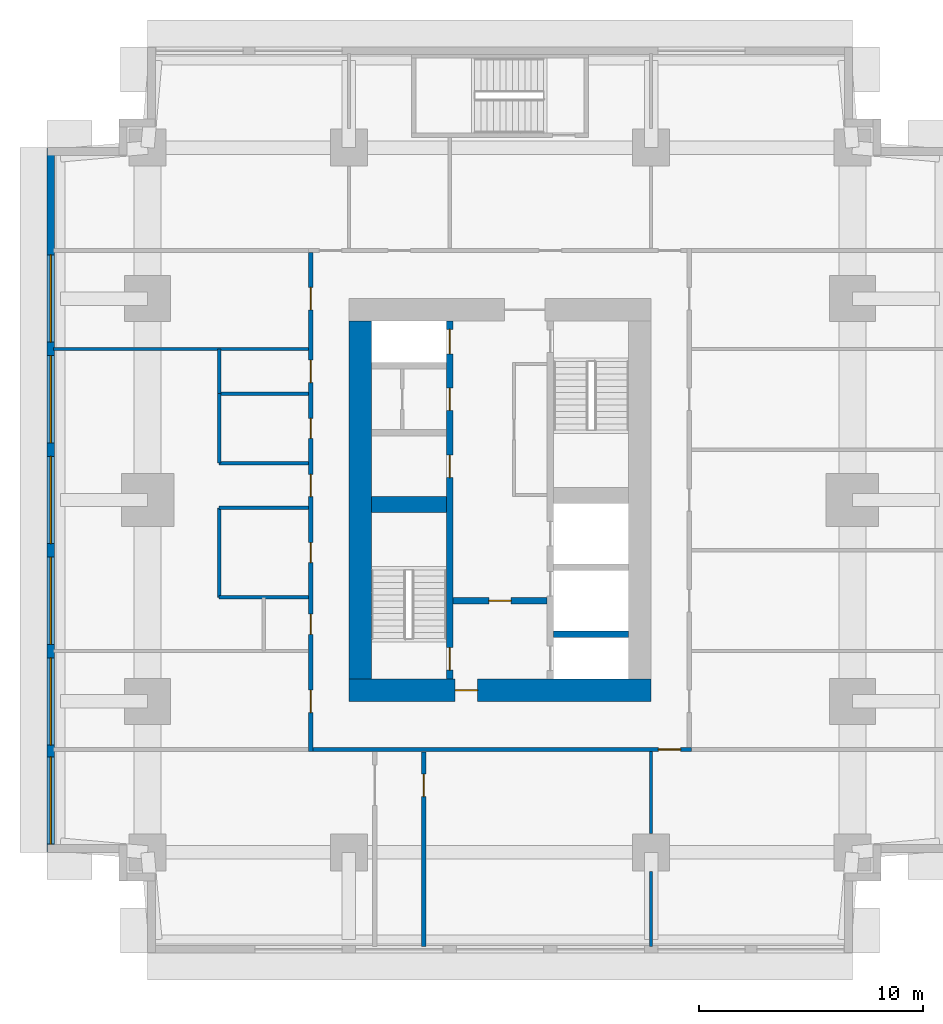
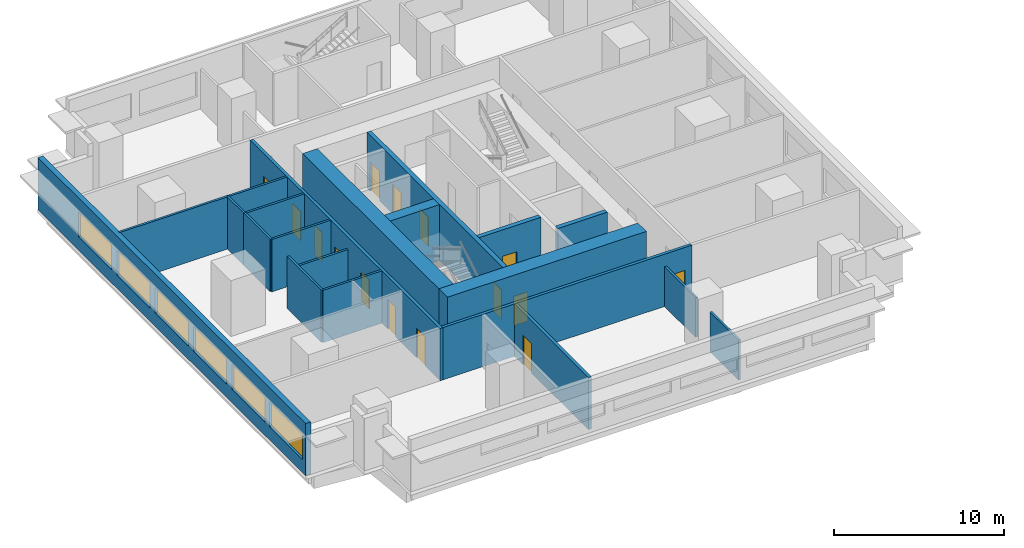
# One storey, part 3 of 11: 20 walls, 15 doors, 6 windows, 21 openings.
"""IFC4 building model written with IfcOpenShell, lengths in metres."""

from ifc_helpers import new_model, si_unit, direction, frame, frame_2d, origin, place, context, subcontext, project, spatial, rectangle, extrude, material, layer, layer_set, type_object, element, fill, save


model = new_model("IFC4")

# Units and contexts
model_context = context("Model", 3, precision=1e-05, world=origin(), true_north=direction((0.0, 1.0)))
body_context = subcontext(model_context, "Body", "Model", "MODEL_VIEW")
ifc_project = project(units=[si_unit("LENGTHUNIT", "METRE"), si_unit("AREAUNIT", "SQUARE_METRE"), si_unit("VOLUMEUNIT", "CUBIC_METRE"), si_unit("PLANEANGLEUNIT", "RADIAN"), si_unit("MASSUNIT", "GRAM", prefix="KILO")], contexts=[model_context])

# Site, building, storey
site_placement = place(None, origin())
site = spatial("IfcSite", under=ifc_project, at=site_placement, CompositionType="ELEMENT")
building_placement = place(site_placement, origin())
building = spatial("IfcBuilding", under=site, at=building_placement, Name="Namib Vertical Campus", CompositionType="ELEMENT")
storey_placement = place(building_placement, frame((0.0, 0.0, 177.0)))
storey = spatial("IfcBuildingStorey", under=building, at=storey_placement, Name="L41", CompositionType="ELEMENT", Elevation=177.0)

# Wall, openings, doors
ifc_material_1 = material(Name="Concrete C60/75", Category="concrete")
ifc_layer_1 = layer(ifc_material_1, 0.300048828125)
ifc_layer_set_1 = layer_set([ifc_layer_1], Name="Concrete C60/75")
wall_type_1 = type_object("IfcWallType", Name="Core inner wall 300", PredefinedType="SHEAR", material=ifc_layer_set_1)
wall_1_placement = place(storey_placement, frame((18.0, 12.25, 0.0), z_axis=(0.0, 0.0, 1.0), x_axis=(0.0, 1.0, 0.0)))
wall_1 = element("IfcWall", 1, at=wall_1_placement, inside=storey, type_object=wall_type_1, Name="Core inner wall A L41 W1", PredefinedType="SHEAR", context=body_context, shape_type="SweptSolid", body=[
    extrude(rectangle(XDim=16.0, YDim=0.300048828125, at=frame_2d((8.0, 0.0))), origin(), (0.0, 0.0, 1.0), 4.0),
])
opening_1_placement = place(wall_1_placement, frame((0.39990234375, 0.0, 0.0)))
opening_1 = element("IfcOpeningElement", 2, at=opening_1_placement, cuts=wall_1, Name="Opening FD1", PredefinedType="OPENING", context=body_context, shape_type="SweptSolid", body=[
    extrude(rectangle(XDim=1.0, YDim=2.10009765625, at=frame_2d((0.5, 1.050048828125))), frame((0.0, 0.159912109375, 0.0), z_axis=(0.0, -1.0, 0.0), x_axis=(1.0, 0.0, 0.0)), (0.0, 0.0, 1.0), 0.320068359375),
])
opening_2_placement = place(wall_1_placement, frame((14.52490234375, 0.0, 0.0)))
opening_2 = element("IfcOpeningElement", 3, at=opening_2_placement, cuts=wall_1, Name="Opening LD1", PredefinedType="OPENING", context=body_context, shape_type="SweptSolid", body=[
    extrude(rectangle(XDim=1.10009765625, YDim=2.10009765625, at=frame_2d((0.550048828125, 1.050048828125))), frame((0.0, 0.159912109375, 0.0), z_axis=(0.0, -1.0, 0.0), x_axis=(1.0, 0.0, 0.0)), (0.0, 0.0, 1.0), 0.320068359375),
])
opening_3_placement = place(wall_1_placement, frame((9.0, 0.0, 0.0)))
opening_3 = element("IfcOpeningElement", 4, at=opening_3_placement, cuts=wall_1, Name="Opening D1", PredefinedType="OPENING", context=body_context, shape_type="SweptSolid", body=[
    extrude(rectangle(XDim=1.0, YDim=2.10009765625, at=frame_2d((0.5, 1.050048828125))), frame((0.0, 0.159912109375, 0.0), z_axis=(0.0, -1.0, 0.0), x_axis=(1.0, 0.0, 0.0)), (0.0, 0.0, 1.0), 0.320068359375),
])
opening_4_placement = place(wall_1_placement, frame((12.0, 0.0, 0.0)))
opening_4 = element("IfcOpeningElement", 5, at=opening_4_placement, cuts=wall_1, Name="Opening D1", PredefinedType="OPENING", context=body_context, shape_type="SweptSolid", body=[
    extrude(rectangle(XDim=1.0, YDim=2.10009765625, at=frame_2d((0.5, 1.050048828125))), frame((0.0, 0.159912109375, 0.0), z_axis=(0.0, -1.0, 0.0), x_axis=(1.0, 0.0, 0.0)), (0.0, 0.0, 1.0), 0.320068359375),
])
ifc_material_2 = material(Name="Timber door leaf", Category="wood")
door_type_1 = type_object("IfcDoorType", Name="Door single 1000x2100", OperationType="SINGLE_SWING_LEFT", PredefinedType="DOOR", material=ifc_material_2)
door_1_placement = place(opening_3_placement, origin())
door_1 = element("IfcDoor", 6, at=door_1_placement, inside=storey, type_object=door_type_1, Name="Door D1 Staff pantry A L41 P1", OperationType="SINGLE_SWING_LEFT", OverallHeight=2.10009765625, OverallWidth=1.0, PredefinedType="DOOR", context=body_context, shape_type="SweptSolid", body=[
    extrude(rectangle(XDim=1.0, YDim=2.10009765625, at=frame_2d((0.5, 1.050048828125))), frame((0.0, 0.02490234375, 0.0), z_axis=(0.0, -1.0, 0.0), x_axis=(1.0, 0.0, 0.0)), (0.0, 0.0, 1.0), 0.050048828125),
])
fill(opening_3, door_1)
door_2_placement = place(opening_4_placement, origin())
door_2 = element("IfcDoor", 7, at=door_2_placement, inside=storey, type_object=door_type_1, Name="Door D1 Records store A L41 P2", OperationType="SINGLE_SWING_LEFT", OverallHeight=2.10009765625, OverallWidth=1.0, PredefinedType="DOOR", context=body_context, shape_type="SweptSolid", body=[
    extrude(rectangle(XDim=1.0, YDim=2.10009765625, at=frame_2d((0.5, 1.050048828125))), frame((0.0, 0.02490234375, 0.0), z_axis=(0.0, -1.0, 0.0), x_axis=(1.0, 0.0, 0.0)), (0.0, 0.0, 1.0), 0.050048828125),
])
fill(opening_4, door_2)
ifc_material_3 = material(Name="Steel fire door", Category="steel")
door_type_2 = type_object("IfcDoorType", Name="Fire door 1000x2100", OperationType="SINGLE_SWING_RIGHT", PredefinedType="DOOR", material=ifc_material_3)
door_3_placement = place(opening_1_placement, origin())
door_3 = element("IfcDoor", 8, at=door_3_placement, inside=storey, type_object=door_type_2, Name="Stair door FD1 A L41 S1", OperationType="SINGLE_SWING_LEFT", OverallHeight=2.10009765625, OverallWidth=1.0, PredefinedType="DOOR", context=body_context, shape_type="SweptSolid", body=[
    extrude(rectangle(XDim=1.0, YDim=2.10009765625, at=frame_2d((0.5, 1.050048828125))), frame((0.0, 0.02490234375, 0.0), z_axis=(0.0, -1.0, 0.0), x_axis=(1.0, 0.0, 0.0)), (0.0, 0.0, 1.0), 0.050048828125),
])
fill(opening_1, door_3)
ifc_material_4 = material(Name="Stainless steel lift door", Category="steel")
door_type_3 = type_object("IfcDoorType", Name="Lift landing door 1100x2100", OperationType="DOUBLE_DOOR_SLIDING", PredefinedType="DOOR", material=ifc_material_4)
door_4_placement = place(opening_2_placement, origin())
door_4 = element("IfcDoor", 9, at=door_4_placement, inside=storey, type_object=door_type_3, Name="Lift landing door LD1 A-P3 L41", OperationType="DOUBLE_DOOR_SLIDING", OverallHeight=2.10009765625, OverallWidth=1.10009765625, PredefinedType="DOOR", context=body_context, shape_type="SweptSolid", body=[
    extrude(rectangle(XDim=1.10009765625, YDim=2.10009765625, at=frame_2d((0.550048828125, 1.050048828125))), frame((0.0, 0.02490234375, 0.0), z_axis=(0.0, -1.0, 0.0), x_axis=(1.0, 0.0, 0.0)), (0.0, 0.0, 1.0), 0.050048828125),
])
fill(opening_2, door_4)

# Wall, opening, door
wall_2_placement = place(storey_placement, frame((18.14990234375, 15.75, 0.0), z_axis=(0.0, 0.0, 1.0), x_axis=(1.0, 0.0, 0.0)))
wall_2 = element("IfcWall", 10, at=wall_2_placement, inside=storey, type_object=wall_type_1, Name="Core inner wall A L41 W4", PredefinedType="SHEAR", context=body_context, shape_type="SweptSolid", body=[
    extrude(rectangle(XDim=4.2001953125, YDim=0.300048828125, at=frame_2d((2.10009765625, 0.0))), origin(), (0.0, 0.0, 1.0), 4.0),
])
opening_5_placement = place(wall_2_placement, frame((1.60009765625, 0.0, 0.0)))
opening_5 = element("IfcOpeningElement", 11, at=opening_5_placement, cuts=wall_2, Name="Opening FD5", PredefinedType="OPENING", context=body_context, shape_type="SweptSolid", body=[
    extrude(rectangle(XDim=1.0, YDim=2.10009765625, at=frame_2d((0.5, 1.050048828125))), frame((0.0, 0.159912109375, 0.0), z_axis=(0.0, -1.0, 0.0), x_axis=(1.0, 0.0, 0.0)), (0.0, 0.0, 1.0), 0.320068359375),
])
ifc_material_5 = material(Name="Steel fire door", Category="steel")
door_type_4 = type_object("IfcDoorType", Name="Fire door 1000x2100 120 min", OperationType="SINGLE_SWING_RIGHT", PredefinedType="DOOR", material=ifc_material_5)
door_5_placement = place(opening_5_placement, frame((1.0, 0.0, 0.0), z_axis=(0.0, 0.0, 1.0), x_axis=(-1.0, 0.0, 0.0)))
door_5 = element("IfcDoor", 12, at=door_5_placement, inside=storey, type_object=door_type_4, Name="Lobby door FD5 A L41", OperationType="SINGLE_SWING_RIGHT", OverallHeight=2.10009765625, OverallWidth=1.0, PredefinedType="DOOR", context=body_context, shape_type="SweptSolid", body=[
    extrude(rectangle(XDim=1.0, YDim=2.10009765625, at=frame_2d((0.5, 1.050048828125))), frame((0.0, 0.02490234375, 0.0), z_axis=(0.0, -1.0, 0.0), x_axis=(1.0, 0.0, 0.0)), (0.0, 0.0, 1.0), 0.050048828125),
])
fill(opening_5, door_5)

# Walls
wall_3_placement = place(storey_placement, frame((22.64990234375, 14.25, 0.0), z_axis=(0.0, 0.0, 1.0), x_axis=(1.0, 0.0, 0.0)))
element("IfcWall", 13, at=wall_3_placement, inside=storey, type_object=wall_type_1, Name="Core inner wall A L41 W5", PredefinedType="SHEAR", context=body_context, shape_type="SweptSolid", body=[
    extrude(rectangle(XDim=3.35009765625, YDim=0.300048828125, at=frame_2d((1.675048828125, 0.0))), origin(), (0.0, 0.0, 1.0), 4.0),
])
ifc_material_6 = material(Name="Concrete C60/75", Category="concrete")
ifc_layer_2 = layer(ifc_material_6, 0.699951171875)
ifc_layer_set_2 = layer_set([ifc_layer_2], Name="Concrete C60/75")
wall_type_2 = type_object("IfcWallType", Name="Core shear wall 700", PredefinedType="SHEAR", material=ifc_layer_set_2)
wall_4_placement = place(storey_placement, frame((14.5, 20.050048828125, 0.0), z_axis=(0.0, 0.0, 1.0), x_axis=(1.0, 0.0, 0.0)))
element("IfcWall", 14, at=wall_4_placement, inside=storey, type_object=wall_type_2, Name="Core shear wall A L41 W3", PredefinedType="SHEAR", context=body_context, shape_type="SweptSolid", body=[
    extrude(rectangle(XDim=3.35009765625, YDim=0.699951171875, at=frame_2d((1.675048828125, 0.0))), origin(), (0.0, 0.0, 1.0), 4.0),
])

# Wall, opening, door
ifc_material_7 = material(Name="Concrete C60/75", Category="concrete")
ifc_layer_3 = layer(ifc_material_7, 1.0)
ifc_layer_set_3 = layer_set([ifc_layer_3], Name="Concrete C60/75")
wall_type_3 = type_object("IfcWallType", Name="Core wall 1000", PredefinedType="SHEAR", material=ifc_layer_set_3)
wall_5_placement = place(storey_placement, frame((13.5, 11.75, 0.0), z_axis=(0.0, 0.0, 1.0), x_axis=(1.0, 0.0, 0.0)))
wall_5 = element("IfcWall", 15, at=wall_5_placement, inside=storey, type_object=wall_type_3, Name="Core wall A L41 1", PredefinedType="SHEAR", context=body_context, shape_type="SweptSolid", body=[
    extrude(rectangle(XDim=13.5, YDim=1.0, at=frame_2d((6.75, 0.0))), origin(), (0.0, 0.0, 1.0), 4.0),
])
opening_6_placement = place(wall_5_placement, frame((4.75, 0.0, 0.0)))
opening_6 = element("IfcOpeningElement", 16, at=opening_6_placement, cuts=wall_5, Name="Opening FD5", PredefinedType="OPENING", context=body_context, shape_type="SweptSolid", body=[
    extrude(rectangle(XDim=1.0, YDim=2.10009765625, at=frame_2d((0.5, 1.050048828125))), frame((0.0, 0.510009765625, 0.0), z_axis=(0.0, -1.0, 0.0), x_axis=(1.0, 0.0, 0.0)), (0.0, 0.0, 1.0), 1.02001953125),
])
door_6_placement = place(opening_6_placement, origin())
door_6 = element("IfcDoor", 17, at=door_6_placement, inside=storey, type_object=door_type_4, Name="Firefighting lobby door FD5 A L41", OperationType="SINGLE_SWING_LEFT", OverallHeight=2.10009765625, OverallWidth=1.0, PredefinedType="DOOR", context=body_context, shape_type="SweptSolid", body=[
    extrude(rectangle(XDim=1.0, YDim=2.10009765625, at=frame_2d((0.5, 1.050048828125))), frame((0.0, 0.02490234375, 0.0), z_axis=(0.0, -1.0, 0.0), x_axis=(1.0, 0.0, 0.0)), (0.0, 0.0, 1.0), 0.050048828125),
])
fill(opening_6, door_6)

# Wall
wall_6_placement = place(storey_placement, frame((14.0, 28.25, 0.0), z_axis=(0.0, 0.0, 1.0), x_axis=(0.0, -1.0, 0.0)))
element("IfcWall", 18, at=wall_6_placement, inside=storey, type_object=wall_type_3, Name="Core wall A L41 4", PredefinedType="SHEAR", context=body_context, shape_type="SweptSolid", body=[
    extrude(rectangle(XDim=16.0, YDim=1.0, at=frame_2d((8.0, 0.0))), origin(), (0.0, 0.0, 1.0), 4.0),
])

# Wall, opening, door
ifc_material_8 = material(Name="Concrete masonry", Category="masonry")
ifc_layer_4 = layer(ifc_material_8, 0.199951171875)
ifc_layer_set_4 = layer_set([ifc_layer_4], Name="Corridor wall 200")
wall_type_4 = type_object("IfcWallType", Name="Corridor wall 200", PredefinedType="SOLIDWALL", material=ifc_layer_set_4)
wall_7_placement = place(storey_placement, frame((11.89990234375, 9.10009765625, 0.0), z_axis=(0.0, 0.0, 1.0), x_axis=(1.0, 0.0, 0.0)))
wall_7 = element("IfcWall", 19, at=wall_7_placement, inside=storey, type_object=wall_type_4, Name="Corridor wall A L41 CS", PredefinedType="SOLIDWALL", context=body_context, shape_type="SweptSolid", body=[
    extrude(rectangle(XDim=16.900146484375, YDim=0.199951171875, at=frame_2d((8.4501953125, 0.0))), origin(), (0.0, 0.0, 1.0), 3.75),
])
opening_7_placement = place(wall_7_placement, frame((15.425048828125, 0.0, 0.0)))
opening_7 = element("IfcOpeningElement", 20, at=opening_7_placement, cuts=wall_7, Name="Opening CD1", PredefinedType="OPENING", context=body_context, shape_type="SweptSolid", body=[
    extrude(rectangle(XDim=1.0, YDim=2.10009765625, at=frame_2d((0.5, 1.050048828125))), frame((0.0, 0.10986328125, 0.0), z_axis=(0.0, -1.0, 0.0), x_axis=(1.0, 0.0, 0.0)), (0.0, 0.0, 1.0), 0.219970703125),
])
ifc_material_9 = material(Name="Timber fire door leaf", Category="wood")
door_type_5 = type_object("IfcDoorType", Name="Corridor door 1000x2100 20 min", OperationType="SINGLE_SWING_LEFT", PredefinedType="DOOR", material=ifc_material_9)
door_7_placement = place(opening_7_placement, frame((1.0, 0.0, 0.0), z_axis=(0.0, 0.0, 1.0), x_axis=(-1.0, 0.0, 0.0)))
door_7 = element("IfcDoor", 21, at=door_7_placement, inside=storey, type_object=door_type_5, Name="Door CD1 A41-03", OperationType="SINGLE_SWING_RIGHT", OverallHeight=2.10009765625, OverallWidth=1.0, PredefinedType="DOOR", context=body_context, shape_type="SweptSolid", body=[
    extrude(rectangle(XDim=1.0, YDim=2.10009765625, at=frame_2d((0.5, 1.050048828125))), frame((0.0, 0.02490234375, 0.0), z_axis=(0.0, -1.0, 0.0), x_axis=(1.0, 0.0, 0.0)), (0.0, 0.0, 1.0), 0.050048828125),
])
fill(opening_7, door_7)

# Wall, openings, doors
wall_8_placement = place(storey_placement, frame((11.800048828125, 31.300048828125, 0.0), z_axis=(0.0, 0.0, 1.0), x_axis=(0.0, -1.0, 0.0)))
wall_8 = element("IfcWall", 22, at=wall_8_placement, inside=storey, type_object=wall_type_4, Name="Corridor wall A L41 CW", PredefinedType="SOLIDWALL", context=body_context, shape_type="SweptSolid", body=[
    extrude(rectangle(XDim=22.300048828125, YDim=0.199951171875, at=frame_2d((11.14990234375, 0.0))), origin(), (0.0, 0.0, 1.0), 3.75),
])
opening_8_placement = place(wall_8_placement, frame((19.550048828125, 0.0, 0.0)))
opening_8 = element("IfcOpeningElement", 23, at=opening_8_placement, cuts=wall_8, Name="Opening CD1", PredefinedType="OPENING", context=body_context, shape_type="SweptSolid", body=[
    extrude(rectangle(XDim=1.0, YDim=2.10009765625, at=frame_2d((0.5, 1.050048828125))), frame((0.0, 0.10986328125, 0.0), z_axis=(0.0, -1.0, 0.0), x_axis=(1.0, 0.0, 0.0)), (0.0, 0.0, 1.0), 0.219970703125),
])
opening_9_placement = place(wall_8_placement, frame((16.14990234375, 0.0, 0.0)))
opening_9 = element("IfcOpeningElement", 24, at=opening_9_placement, cuts=wall_8, Name="Opening CD3", PredefinedType="OPENING", context=body_context, shape_type="SweptSolid", body=[
    extrude(rectangle(XDim=0.89990234375, YDim=2.10009765625, at=frame_2d((0.449951171875, 1.050048828125))), frame((0.0, 0.10986328125, 0.0), z_axis=(0.0, -1.0, 0.0), x_axis=(1.0, 0.0, 0.0)), (0.0, 0.0, 1.0), 0.219970703125),
])
opening_10_placement = place(wall_8_placement, frame((12.949951171875, 0.0, 0.0)))
opening_10 = element("IfcOpeningElement", 25, at=opening_10_placement, cuts=wall_8, Name="Opening CD3", PredefinedType="OPENING", context=body_context, shape_type="SweptSolid", body=[
    extrude(rectangle(XDim=0.89990234375, YDim=2.10009765625, at=frame_2d((0.449951171875, 1.050048828125))), frame((0.0, 0.10986328125, 0.0), z_axis=(0.0, -1.0, 0.0), x_axis=(1.0, 0.0, 0.0)), (0.0, 0.0, 1.0), 0.219970703125),
])
opening_11_placement = place(wall_8_placement, frame((7.39990234375, 0.0, 0.0)))
opening_11 = element("IfcOpeningElement", 26, at=opening_11_placement, cuts=wall_8, Name="Opening CD3", PredefinedType="OPENING", context=body_context, shape_type="SweptSolid", body=[
    extrude(rectangle(XDim=0.89990234375, YDim=2.10009765625, at=frame_2d((0.449951171875, 1.050048828125))), frame((0.0, 0.10986328125, 0.0), z_axis=(0.0, -1.0, 0.0), x_axis=(1.0, 0.0, 0.0)), (0.0, 0.0, 1.0), 0.219970703125),
])
opening_12_placement = place(wall_8_placement, frame((4.800048828125, 0.0, 0.0)))
opening_12 = element("IfcOpeningElement", 27, at=opening_12_placement, cuts=wall_8, Name="Opening CD1", PredefinedType="OPENING", context=body_context, shape_type="SweptSolid", body=[
    extrude(rectangle(XDim=1.0, YDim=2.10009765625, at=frame_2d((0.5, 1.050048828125))), frame((0.0, 0.10986328125, 0.0), z_axis=(0.0, -1.0, 0.0), x_axis=(1.0, 0.0, 0.0)), (0.0, 0.0, 1.0), 0.219970703125),
])
opening_13_placement = place(wall_8_placement, frame((9.89990234375, 0.0, 0.0)))
opening_13 = element("IfcOpeningElement", 28, at=opening_13_placement, cuts=wall_8, Name="Opening CD1", PredefinedType="OPENING", context=body_context, shape_type="SweptSolid", body=[
    extrude(rectangle(XDim=1.0, YDim=2.10009765625, at=frame_2d((0.5, 1.050048828125))), frame((0.0, 0.10986328125, 0.0), z_axis=(0.0, -1.0, 0.0), x_axis=(1.0, 0.0, 0.0)), (0.0, 0.0, 1.0), 0.219970703125),
])
opening_14_placement = place(wall_8_placement, frame((1.550048828125, 0.0, 0.0)))
opening_14 = element("IfcOpeningElement", 29, at=opening_14_placement, cuts=wall_8, Name="Opening CD1", PredefinedType="OPENING", context=body_context, shape_type="SweptSolid", body=[
    extrude(rectangle(XDim=1.0, YDim=2.10009765625, at=frame_2d((0.5, 1.050048828125))), frame((0.0, 0.10986328125, 0.0), z_axis=(0.0, -1.0, 0.0), x_axis=(1.0, 0.0, 0.0)), (0.0, 0.0, 1.0), 0.219970703125),
])
door_8_placement = place(opening_8_placement, frame((1.0, 0.0, 0.0), z_axis=(0.0, 0.0, 1.0), x_axis=(-1.0, 0.0, 0.0)))
door_8 = element("IfcDoor", 30, at=door_8_placement, inside=storey, type_object=door_type_5, Name="Door CD1 A41-13", OperationType="SINGLE_SWING_RIGHT", OverallHeight=2.10009765625, OverallWidth=1.0, PredefinedType="DOOR", context=body_context, shape_type="SweptSolid", body=[
    extrude(rectangle(XDim=1.0, YDim=2.10009765625, at=frame_2d((0.5, 1.050048828125))), frame((0.0, 0.02490234375, 0.0), z_axis=(0.0, -1.0, 0.0), x_axis=(1.0, 0.0, 0.0)), (0.0, 0.0, 1.0), 0.050048828125),
])
fill(opening_8, door_8)
door_9_placement = place(opening_12_placement, frame((1.0, 0.0, 0.0), z_axis=(0.0, 0.0, 1.0), x_axis=(-1.0, 0.0, 0.0)))
door_9 = element("IfcDoor", 31, at=door_9_placement, inside=storey, type_object=door_type_5, Name="Door CD1 A41-17", OperationType="SINGLE_SWING_RIGHT", OverallHeight=2.10009765625, OverallWidth=1.0, PredefinedType="DOOR", context=body_context, shape_type="SweptSolid", body=[
    extrude(rectangle(XDim=1.0, YDim=2.10009765625, at=frame_2d((0.5, 1.050048828125))), frame((0.0, 0.02490234375, 0.0), z_axis=(0.0, -1.0, 0.0), x_axis=(1.0, 0.0, 0.0)), (0.0, 0.0, 1.0), 0.050048828125),
])
fill(opening_12, door_9)
door_10_placement = place(opening_13_placement, frame((1.0, 0.0, 0.0), z_axis=(0.0, 0.0, 1.0), x_axis=(-1.0, 0.0, 0.0)))
door_10 = element("IfcDoor", 32, at=door_10_placement, inside=storey, type_object=door_type_5, Name="Door CD1 A41-18", OperationType="SINGLE_SWING_RIGHT", OverallHeight=2.10009765625, OverallWidth=1.0, PredefinedType="DOOR", context=body_context, shape_type="SweptSolid", body=[
    extrude(rectangle(XDim=1.0, YDim=2.10009765625, at=frame_2d((0.5, 1.050048828125))), frame((0.0, 0.02490234375, 0.0), z_axis=(0.0, -1.0, 0.0), x_axis=(1.0, 0.0, 0.0)), (0.0, 0.0, 1.0), 0.050048828125),
])
fill(opening_13, door_10)
door_11_placement = place(opening_14_placement, frame((1.0, 0.0, 0.0), z_axis=(0.0, 0.0, 1.0), x_axis=(-1.0, 0.0, 0.0)))
door_11 = element("IfcDoor", 33, at=door_11_placement, inside=storey, type_object=door_type_5, Name="Door CD1 A41-19", OperationType="SINGLE_SWING_RIGHT", OverallHeight=2.10009765625, OverallWidth=1.0, PredefinedType="DOOR", context=body_context, shape_type="SweptSolid", body=[
    extrude(rectangle(XDim=1.0, YDim=2.10009765625, at=frame_2d((0.5, 1.050048828125))), frame((0.0, 0.02490234375, 0.0), z_axis=(0.0, -1.0, 0.0), x_axis=(1.0, 0.0, 0.0)), (0.0, 0.0, 1.0), 0.050048828125),
])
fill(opening_14, door_11)
ifc_material_10 = material(Name="Timber fire door leaf", Category="wood")
door_type_6 = type_object("IfcDoorType", Name="Corridor toilet door 900x2100 20 min", OperationType="SINGLE_SWING_LEFT", PredefinedType="DOOR", material=ifc_material_10)
door_12_placement = place(opening_9_placement, frame((0.89990234375, 0.0, 0.0), z_axis=(0.0, 0.0, 1.0), x_axis=(-1.0, 0.0, 0.0)))
door_12 = element("IfcDoor", 34, at=door_12_placement, inside=storey, type_object=door_type_6, Name="Door CD3 A41-14", OperationType="SINGLE_SWING_RIGHT", OverallHeight=2.10009765625, OverallWidth=0.89990234375, PredefinedType="DOOR", context=body_context, shape_type="SweptSolid", body=[
    extrude(rectangle(XDim=0.89990234375, YDim=2.10009765625, at=frame_2d((0.449951171875, 1.050048828125))), frame((0.0, 0.02490234375, 0.0), z_axis=(0.0, -1.0, 0.0), x_axis=(1.0, 0.0, 0.0)), (0.0, 0.0, 1.0), 0.050048828125),
])
fill(opening_9, door_12)
door_13_placement = place(opening_10_placement, frame((0.89990234375, 0.0, 0.0), z_axis=(0.0, 0.0, 1.0), x_axis=(-1.0, 0.0, 0.0)))
door_13 = element("IfcDoor", 35, at=door_13_placement, inside=storey, type_object=door_type_6, Name="Door CD3 A41-15", OperationType="SINGLE_SWING_RIGHT", OverallHeight=2.10009765625, OverallWidth=0.89990234375, PredefinedType="DOOR", context=body_context, shape_type="SweptSolid", body=[
    extrude(rectangle(XDim=0.89990234375, YDim=2.10009765625, at=frame_2d((0.449951171875, 1.050048828125))), frame((0.0, 0.02490234375, 0.0), z_axis=(0.0, -1.0, 0.0), x_axis=(1.0, 0.0, 0.0)), (0.0, 0.0, 1.0), 0.050048828125),
])
fill(opening_10, door_13)
door_14_placement = place(opening_11_placement, frame((0.89990234375, 0.0, 0.0), z_axis=(0.0, 0.0, 1.0), x_axis=(-1.0, 0.0, 0.0)))
door_14 = element("IfcDoor", 36, at=door_14_placement, inside=storey, type_object=door_type_6, Name="Door CD3 A41-16", OperationType="SINGLE_SWING_RIGHT", OverallHeight=2.10009765625, OverallWidth=0.89990234375, PredefinedType="DOOR", context=body_context, shape_type="SweptSolid", body=[
    extrude(rectangle(XDim=0.89990234375, YDim=2.10009765625, at=frame_2d((0.449951171875, 1.050048828125))), frame((0.0, 0.02490234375, 0.0), z_axis=(0.0, -1.0, 0.0), x_axis=(1.0, 0.0, 0.0)), (0.0, 0.0, 1.0), 0.050048828125),
])
fill(opening_11, door_14)

# Wall, opening, door
wall_9_placement = place(storey_placement, frame((16.85009765625, 9.0, 0.0), z_axis=(0.0, 0.0, 1.0), x_axis=(0.0, -1.0, 0.0)))
wall_9 = element("IfcWall", 37, at=wall_9_placement, inside=storey, type_object=wall_type_4, Name="Corridor wall A L41 SPS2", PredefinedType="SOLIDWALL", context=body_context, shape_type="SweptSolid", body=[
    extrude(rectangle(XDim=8.699951171875, YDim=0.199951171875, at=frame_2d((4.35009765625, 0.0))), origin(), (0.0, 0.0, 1.0), 3.75),
])
opening_15_placement = place(wall_9_placement, frame((1.0, 0.0, 0.0)))
opening_15 = element("IfcOpeningElement", 38, at=opening_15_placement, cuts=wall_9, Name="Opening CD1", PredefinedType="OPENING", context=body_context, shape_type="SweptSolid", body=[
    extrude(rectangle(XDim=1.0, YDim=2.10009765625, at=frame_2d((0.5, 1.050048828125))), frame((0.0, 0.10986328125, 0.0), z_axis=(0.0, -1.0, 0.0), x_axis=(1.0, 0.0, 0.0)), (0.0, 0.0, 1.0), 0.219970703125),
])
door_15_placement = place(opening_15_placement, origin())
door_15 = element("IfcDoor", 39, at=door_15_placement, inside=storey, type_object=door_type_5, Name="Door CD1 A41-02", OperationType="SINGLE_SWING_LEFT", OverallHeight=2.10009765625, OverallWidth=1.0, PredefinedType="DOOR", context=body_context, shape_type="SweptSolid", body=[
    extrude(rectangle(XDim=1.0, YDim=2.10009765625, at=frame_2d((0.5, 1.050048828125))), frame((0.0, 0.02490234375, 0.0), z_axis=(0.0, -1.0, 0.0), x_axis=(1.0, 0.0, 0.0)), (0.0, 0.0, 1.0), 0.050048828125),
])
fill(opening_15, door_15)

# Wall, openings, windows
ifc_material_11 = material(Name="Concrete C40/50", Category="concrete")
ifc_layer_5 = layer(ifc_material_11, 0.35009765625)
ifc_layer_set_5 = layer_set([ifc_layer_5], Name="Concrete C40/50")
wall_type_5 = type_object("IfcWallType", Name="External wall 350 bush-hammered concrete", PredefinedType="STANDARD", material=ifc_layer_set_5)
wall_10_placement = place(storey_placement, frame((0.175048828125, 35.97998046875, 0.0), z_axis=(0.0, 0.0, 1.0), x_axis=(0.0, -1.0, 0.0)))
wall_10 = element("IfcWall", 40, at=wall_10_placement, inside=storey, type_object=wall_type_5, Name="External wall L41 F16", PredefinedType="STANDARD", context=body_context, shape_type="SweptSolid", body=[
    extrude(rectangle(XDim=31.4599609375, YDim=0.35009765625, at=frame_2d((15.72998046875, 0.0))), origin(), (0.0, 0.0, 1.0), 3.75),
])
opening_16_placement = place(wall_10_placement, frame((27.2099609375, 0.0, 0.949951171875)))
opening_16 = element("IfcOpeningElement", 41, at=opening_16_placement, cuts=wall_10, Name="Opening W3", PredefinedType="OPENING", context=body_context, shape_type="SweptSolid", body=[
    extrude(rectangle(XDim=3.89990234375, YDim=1.800048828125, at=frame_2d((1.949951171875, 0.89990234375))), frame((0.0, 0.18505859375, 0.0), z_axis=(0.0, -1.0, 0.0), x_axis=(1.0, 0.0, 0.0)), (0.0, 0.0, 1.0), 0.3701171875),
])
opening_17_placement = place(wall_10_placement, frame((22.780029296875, 0.0, 0.949951171875)))
opening_17 = element("IfcOpeningElement", 42, at=opening_17_placement, cuts=wall_10, Name="Opening W3", PredefinedType="OPENING", context=body_context, shape_type="SweptSolid", body=[
    extrude(rectangle(XDim=3.89990234375, YDim=1.800048828125, at=frame_2d((1.949951171875, 0.89990234375))), frame((0.0, 0.18505859375, 0.0), z_axis=(0.0, -1.0, 0.0), x_axis=(1.0, 0.0, 0.0)), (0.0, 0.0, 1.0), 0.3701171875),
])
opening_18_placement = place(wall_10_placement, frame((18.280029296875, 0.0, 0.949951171875)))
opening_18 = element("IfcOpeningElement", 43, at=opening_18_placement, cuts=wall_10, Name="Opening W3", PredefinedType="OPENING", context=body_context, shape_type="SweptSolid", body=[
    extrude(rectangle(XDim=3.89990234375, YDim=1.800048828125, at=frame_2d((1.949951171875, 0.89990234375))), frame((0.0, 0.18505859375, 0.0), z_axis=(0.0, -1.0, 0.0), x_axis=(1.0, 0.0, 0.0)), (0.0, 0.0, 1.0), 0.3701171875),
])
opening_19_placement = place(wall_10_placement, frame((13.780029296875, 0.0, 0.949951171875)))
opening_19 = element("IfcOpeningElement", 44, at=opening_19_placement, cuts=wall_10, Name="Opening W3", PredefinedType="OPENING", context=body_context, shape_type="SweptSolid", body=[
    extrude(rectangle(XDim=3.89990234375, YDim=1.800048828125, at=frame_2d((1.949951171875, 0.89990234375))), frame((0.0, 0.18505859375, 0.0), z_axis=(0.0, -1.0, 0.0), x_axis=(1.0, 0.0, 0.0)), (0.0, 0.0, 1.0), 0.3701171875),
])
opening_20_placement = place(wall_10_placement, frame((9.280029296875, 0.0, 0.949951171875)))
opening_20 = element("IfcOpeningElement", 45, at=opening_20_placement, cuts=wall_10, Name="Opening W3", PredefinedType="OPENING", context=body_context, shape_type="SweptSolid", body=[
    extrude(rectangle(XDim=3.89990234375, YDim=1.800048828125, at=frame_2d((1.949951171875, 0.89990234375))), frame((0.0, 0.18505859375, 0.0), z_axis=(0.0, -1.0, 0.0), x_axis=(1.0, 0.0, 0.0)), (0.0, 0.0, 1.0), 0.3701171875),
])
opening_21_placement = place(wall_10_placement, frame((4.780029296875, 0.0, 0.949951171875)))
opening_21 = element("IfcOpeningElement", 46, at=opening_21_placement, cuts=wall_10, Name="Opening W3", PredefinedType="OPENING", context=body_context, shape_type="SweptSolid", body=[
    extrude(rectangle(XDim=3.89990234375, YDim=1.800048828125, at=frame_2d((1.949951171875, 0.89990234375))), frame((0.0, 0.18505859375, 0.0), z_axis=(0.0, -1.0, 0.0), x_axis=(1.0, 0.0, 0.0)), (0.0, 0.0, 1.0), 0.3701171875),
])
ifc_material_12 = material(Name="Dark tinted glass in black aluminium frame", Category="aluminium")
window_type = type_object("IfcWindowType", Name="Ribbon window 3900x1800", PartitioningType="SINGLE_PANEL", PredefinedType="WINDOW", material=ifc_material_12)
window_1_placement = place(opening_16_placement, origin())
window_1 = element("IfcWindow", 47, at=window_1_placement, inside=storey, type_object=window_type, Name="Window W3 L41 F16-1", OverallHeight=1.800048828125, OverallWidth=3.89990234375, PartitioningType="SINGLE_PANEL", PredefinedType="WINDOW", context=body_context, shape_type="SweptSolid", body=[
    extrude(rectangle(XDim=3.89990234375, YDim=1.800048828125, at=frame_2d((1.949951171875, 0.89990234375))), frame((0.0, 0.030029296875, 0.0), z_axis=(0.0, -1.0, 0.0), x_axis=(1.0, 0.0, 0.0)), (0.0, 0.0, 1.0), 0.06005859375),
])
fill(opening_16, window_1)
window_2_placement = place(opening_17_placement, origin())
window_2 = element("IfcWindow", 48, at=window_2_placement, inside=storey, type_object=window_type, Name="Window W3 L41 F16-2", OverallHeight=1.800048828125, OverallWidth=3.89990234375, PartitioningType="SINGLE_PANEL", PredefinedType="WINDOW", context=body_context, shape_type="SweptSolid", body=[
    extrude(rectangle(XDim=3.89990234375, YDim=1.800048828125, at=frame_2d((1.949951171875, 0.89990234375))), frame((0.0, 0.030029296875, 0.0), z_axis=(0.0, -1.0, 0.0), x_axis=(1.0, 0.0, 0.0)), (0.0, 0.0, 1.0), 0.06005859375),
])
fill(opening_17, window_2)
window_3_placement = place(opening_18_placement, origin())
window_3 = element("IfcWindow", 49, at=window_3_placement, inside=storey, type_object=window_type, Name="Window W3 L41 F16-3", OverallHeight=1.800048828125, OverallWidth=3.89990234375, PartitioningType="SINGLE_PANEL", PredefinedType="WINDOW", context=body_context, shape_type="SweptSolid", body=[
    extrude(rectangle(XDim=3.89990234375, YDim=1.800048828125, at=frame_2d((1.949951171875, 0.89990234375))), frame((0.0, 0.030029296875, 0.0), z_axis=(0.0, -1.0, 0.0), x_axis=(1.0, 0.0, 0.0)), (0.0, 0.0, 1.0), 0.06005859375),
])
fill(opening_18, window_3)
window_4_placement = place(opening_19_placement, origin())
window_4 = element("IfcWindow", 50, at=window_4_placement, inside=storey, type_object=window_type, Name="Window W3 L41 F16-4", OverallHeight=1.800048828125, OverallWidth=3.89990234375, PartitioningType="SINGLE_PANEL", PredefinedType="WINDOW", context=body_context, shape_type="SweptSolid", body=[
    extrude(rectangle(XDim=3.89990234375, YDim=1.800048828125, at=frame_2d((1.949951171875, 0.89990234375))), frame((0.0, 0.030029296875, 0.0), z_axis=(0.0, -1.0, 0.0), x_axis=(1.0, 0.0, 0.0)), (0.0, 0.0, 1.0), 0.06005859375),
])
fill(opening_19, window_4)
window_5_placement = place(opening_20_placement, origin())
window_5 = element("IfcWindow", 51, at=window_5_placement, inside=storey, type_object=window_type, Name="Window W3 L41 F16-5", OverallHeight=1.800048828125, OverallWidth=3.89990234375, PartitioningType="SINGLE_PANEL", PredefinedType="WINDOW", context=body_context, shape_type="SweptSolid", body=[
    extrude(rectangle(XDim=3.89990234375, YDim=1.800048828125, at=frame_2d((1.949951171875, 0.89990234375))), frame((0.0, 0.030029296875, 0.0), z_axis=(0.0, -1.0, 0.0), x_axis=(1.0, 0.0, 0.0)), (0.0, 0.0, 1.0), 0.06005859375),
])
fill(opening_20, window_5)
window_6_placement = place(opening_21_placement, origin())
window_6 = element("IfcWindow", 52, at=window_6_placement, inside=storey, type_object=window_type, Name="Window W3 L41 F16-6", OverallHeight=1.800048828125, OverallWidth=3.89990234375, PartitioningType="SINGLE_PANEL", PredefinedType="WINDOW", context=body_context, shape_type="SweptSolid", body=[
    extrude(rectangle(XDim=3.89990234375, YDim=1.800048828125, at=frame_2d((1.949951171875, 0.89990234375))), frame((0.0, 0.030029296875, 0.0), z_axis=(0.0, -1.0, 0.0), x_axis=(1.0, 0.0, 0.0)), (0.0, 0.0, 1.0), 0.06005859375),
])
fill(opening_21, window_6)

# Walls
ifc_material_13 = material(Name="Gypsum board on steel studs", Category="steel")
ifc_layer_6 = layer(ifc_material_13, 0.14990234375)
ifc_layer_set_6 = layer_set([ifc_layer_6], Name="Gypsum board on steel studs")
wall_type_6 = type_object("IfcWallType", Name="Partition 150", PredefinedType="PARTITIONING", material=ifc_layer_set_6)
wall_11_placement = place(storey_placement, frame((27.0, 0.300048828125, 0.0), z_axis=(0.0, 0.0, 1.0), x_axis=(0.0, 1.0, 0.0)))
element("IfcWall", 53, at=wall_11_placement, inside=storey, type_object=wall_type_6, Name="Partition A L41 PS3", PredefinedType="PARTITIONING", context=body_context, shape_type="SweptSolid", body=[
    extrude(rectangle(XDim=3.35498046875, YDim=0.14990234375, at=frame_2d((1.677490234375, 0.0))), origin(), (0.0, 0.0, 1.0), 2.85009765625),
])
wall_12_placement = place(storey_placement, frame((27.0, 5.344970703125, 0.0), z_axis=(0.0, 0.0, 1.0), x_axis=(0.0, 1.0, 0.0)))
element("IfcWall", 54, at=wall_12_placement, inside=storey, type_object=wall_type_6, Name="Partition A L41 PS3", PredefinedType="PARTITIONING", context=body_context, shape_type="SweptSolid", body=[
    extrude(rectangle(XDim=3.655029296875, YDim=0.14990234375, at=frame_2d((1.82763671875, 0.0))), origin(), (0.0, 0.0, 1.0), 2.85009765625),
])
wall_13_placement = place(storey_placement, frame((0.300048828125, 27.0, 0.0), z_axis=(0.0, 0.0, 1.0), x_axis=(1.0, 0.0, 0.0)))
element("IfcWall", 55, at=wall_13_placement, inside=storey, type_object=wall_type_6, Name="Partition A L41 PW2", PredefinedType="PARTITIONING", context=body_context, shape_type="SweptSolid", body=[
    extrude(rectangle(XDim=11.39990234375, YDim=0.14990234375, at=frame_2d((5.699951171875, 0.0))), origin(), (0.0, 0.0, 1.0), 3.75),
])
wall_14_placement = place(storey_placement, frame((11.699951171875, 15.89990234375, 0.0), z_axis=(0.0, 0.0, 1.0), x_axis=(-1.0, 0.0, 0.0)))
element("IfcWall", 56, at=wall_14_placement, inside=storey, type_object=wall_type_6, Name="Partition A L41 WR1", PredefinedType="PARTITIONING", context=body_context, shape_type="SweptSolid", body=[
    extrude(rectangle(XDim=4.0, YDim=0.14990234375, at=frame_2d((2.0, 0.0))), origin(), (0.0, 0.0, 1.0), 3.75),
])
wall_15_placement = place(storey_placement, frame((11.699951171875, 19.89990234375, 0.0), z_axis=(0.0, 0.0, 1.0), x_axis=(-1.0, 0.0, 0.0)))
element("IfcWall", 57, at=wall_15_placement, inside=storey, type_object=wall_type_6, Name="Partition A L41 WR2", PredefinedType="PARTITIONING", context=body_context, shape_type="SweptSolid", body=[
    extrude(rectangle(XDim=4.0, YDim=0.14990234375, at=frame_2d((2.0, 0.0))), origin(), (0.0, 0.0, 1.0), 2.85009765625),
])
for number, where, z_axis, x_axis, name in (
    (58, (11.699951171875, 21.89990234375, 0.0), (0.0, 0.0, 1.0), (-1.0, 0.0, 0.0), "Partition A L41 WR3"),
    (59, (11.699951171875, 25.0, 0.0), (0.0, 0.0, 1.0), (-1.0, 0.0, 0.0), "Partition A L41 WR4"),
    (60, (7.699951171875, 15.89990234375, 0.0), (0.0, 0.0, 1.0), (0.0, 1.0, 0.0), "Partition A L41 WB2"),
):
    element("IfcWall", number, at=place(storey_placement, frame(where, z_axis=z_axis, x_axis=x_axis)), inside=storey, type_object=wall_type_6, Name=name, PredefinedType="PARTITIONING", context=body_context, shape_type="SweptSolid", body=[
        extrude(rectangle(XDim=4.0, YDim=0.14990234375, at=frame_2d((2.0, 0.0))), origin(), (0.0, 0.0, 1.0), 3.75),
    ])
wall_16_placement = place(storey_placement, frame((7.699951171875, 21.89990234375, 0.0), z_axis=(0.0, 0.0, 1.0), x_axis=(0.0, 1.0, 0.0)))
element("IfcWall", 61, at=wall_16_placement, inside=storey, type_object=wall_type_6, Name="Partition A L41 WB3", PredefinedType="PARTITIONING", context=body_context, shape_type="SweptSolid", body=[
    extrude(rectangle(XDim=3.10009765625, YDim=0.14990234375, at=frame_2d((1.550048828125, 0.0))), origin(), (0.0, 0.0, 1.0), 3.75),
])
wall_17_placement = place(storey_placement, frame((7.699951171875, 25.0, 0.0), z_axis=(0.0, 0.0, 1.0), x_axis=(0.0, 1.0, 0.0)))
element("IfcWall", 62, at=wall_17_placement, inside=storey, type_object=wall_type_6, Name="Partition A L41 WB4", PredefinedType="PARTITIONING", context=body_context, shape_type="SweptSolid", body=[
    extrude(rectangle(XDim=2.0, YDim=0.14990234375, at=frame_2d((1.0, 0.0))), origin(), (0.0, 0.0, 1.0), 3.75),
])

save(model, "model.ifc")
